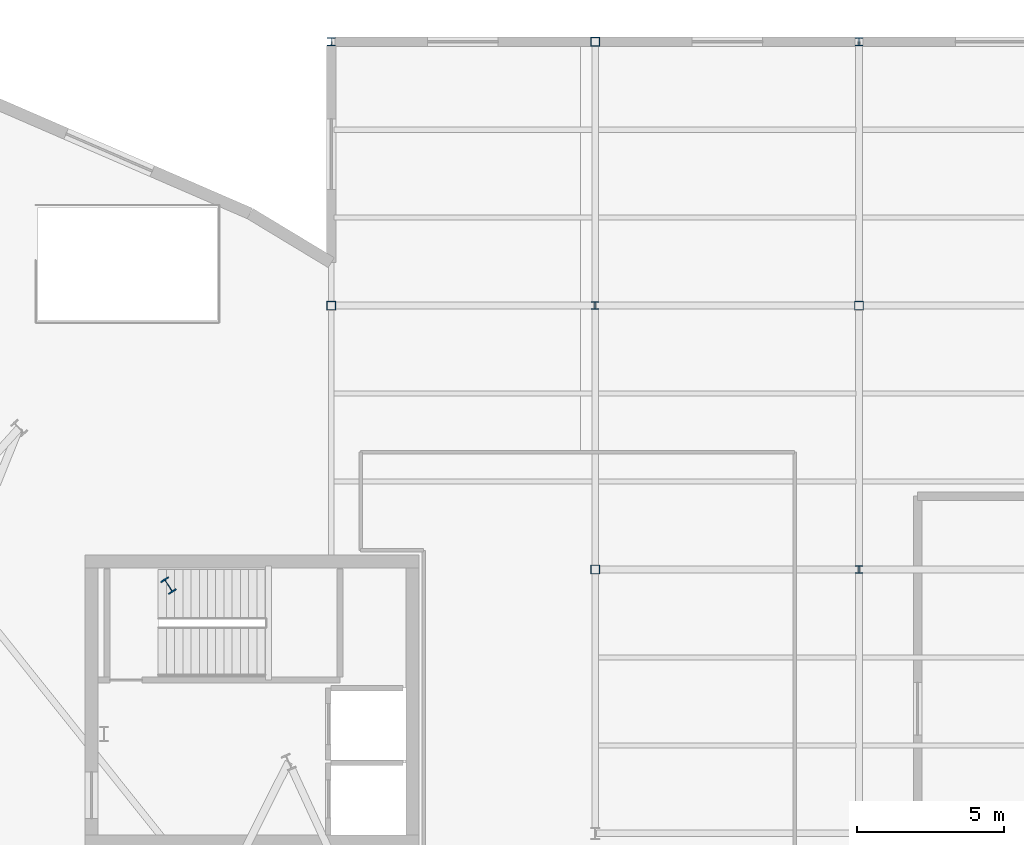
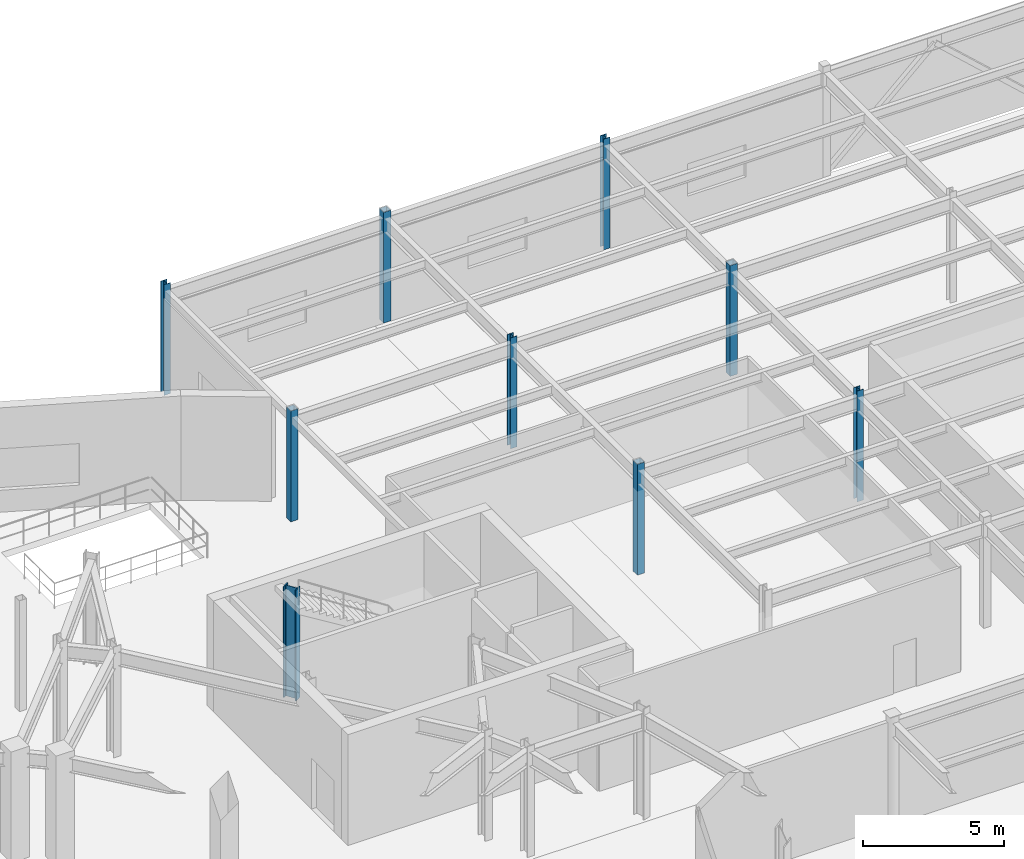
# One storey, part 21 of 86: 9 columns.
"""IFC4 building model written with IfcOpenShell, lengths in metres."""

from ifc_helpers import new_model, si_unit, direction, frame, origin, origin_2d, place, context, subcontext, project, spatial, hollow_rectangle, i_section, extrude, material, material_profile, profile_set, type_object, element, save


model = new_model("IFC4")

# Units and contexts
model_context = context("Model", 3, precision=1e-05, world=origin(), true_north=direction((0.0, 1.0)))
body_context = subcontext(model_context, "Body", "Model", "MODEL_VIEW")
ifc_project = project(units=[si_unit("LENGTHUNIT", "METRE"), si_unit("AREAUNIT", "SQUARE_METRE"), si_unit("VOLUMEUNIT", "CUBIC_METRE"), si_unit("PLANEANGLEUNIT", "RADIAN"), si_unit("MASSUNIT", "GRAM", prefix="KILO")], contexts=[model_context])

# Site, building, storey
site_placement = place(None, origin())
site = spatial("IfcSite", under=ifc_project, at=site_placement, CompositionType="ELEMENT")
building_placement = place(site_placement, origin())
building = spatial("IfcBuilding", under=site, at=building_placement, Name="Glasvene Arena", CompositionType="ELEMENT")
storey_placement = place(building_placement, frame((0.0, 0.0, 5.39990234375)))
storey = spatial("IfcBuildingStorey", under=building, at=storey_placement, Name="L01", CompositionType="ELEMENT", Elevation=5.39990234375)

# Columns
ifc_material = material(Name="Steel S355J2", Category="steel")
ifc_material_profile_1 = material_profile(ifc_material, i_section(OverallWidth=0.305908203125, OverallDepth=0.52392578125, WebThickness=0.02099609375, FlangeThickness=0.0400390625, FilletRadius=0.027099609375, at=origin_2d()), Name="HEM 500")
ifc_profile_set_1 = profile_set([ifc_material_profile_1], Name="Steel S355J2")
column_type_1 = type_object("IfcColumnType", Name="COL-RING-HEM500", PredefinedType="COLUMN", material=ifc_profile_set_1)
column_placement = place(storey_placement, frame((132.45068359375, 99.4501953125, 0.0), z_axis=(0.0, 0.0, 1.0), x_axis=(0.836955398099, 0.547271104292, 0.0)))
element("IfcColumn", 1, at=column_placement, inside=storey, type_object=column_type_1, Name="Bowl ring column R05 L01", PredefinedType="COLUMN", context=body_context, shape_type="SweptSolid", body=[
    extrude(i_section(OverallWidth=0.305908203125, OverallDepth=0.52392578125, WebThickness=0.02099609375, FlangeThickness=0.0400390625, FilletRadius=0.027099609375, at=origin_2d()), origin(), (0.0, 0.0, 1.0), 4.800048828125),
])
ifc_material_profile_2 = material_profile(ifc_material, hollow_rectangle(XDim=0.300048828125, YDim=0.300048828125, WallThickness=0.012451171875, at=origin_2d()), Name="SHS 300x300x12.5")
ifc_profile_set_2 = profile_set([ifc_material_profile_2], Name="Steel S355J2")
column_type_2 = type_object("IfcColumnType", Name="COL-W-SHS300", PredefinedType="COLUMN", material=ifc_profile_set_2)
for number, where, z_axis, x_axis, name in (
    (2, (138.0, 109.0, 0.0), (0.0, 0.0, 1.0), (1.0, 0.0, 0.0), "Grid column 16-13 L01"),
    (3, (147.0, 100.0, 0.0), (0.0, 0.0, 1.0), (1.0, 0.0, 0.0), "Grid column 17-12 L01"),
    (4, (147.0, 118.0, 0.0), (0.0, 0.0, 1.0), (1.0, 0.0, 0.0), "Grid column 17-14 L01"),
    (5, (156.0, 109.0, 0.0), (0.0, 0.0, 1.0), (1.0, 0.0, 0.0), "Grid column 18-13 L01"),
):
    element("IfcColumn", number, at=place(storey_placement, frame(where, z_axis=z_axis, x_axis=x_axis)), inside=storey, type_object=column_type_2, Name=name, PredefinedType="COLUMN", context=body_context, shape_type="SweptSolid", body=[
        extrude(hollow_rectangle(XDim=0.300048828125, YDim=0.300048828125, WallThickness=0.012451171875, at=origin_2d()), origin(), (0.0, 0.0, 1.0), 4.800048828125),
    ])
ifc_material_profile_3 = material_profile(ifc_material, i_section(OverallWidth=0.25634765625, OverallDepth=0.26025390625, WebThickness=0.01025390625, FlangeThickness=0.017333984375, FilletRadius=0.0126953125, at=origin_2d()), Name="UKC 254x254x89")
ifc_profile_set_3 = profile_set([ifc_material_profile_3], Name="Steel S355J2")
column_type_3 = type_object("IfcColumnType", Name="COL-W-UKC89", PredefinedType="COLUMN", material=ifc_profile_set_3)
for number, where, z_axis, x_axis, name in (
    (6, (138.0, 118.0, 0.0), (0.0, 0.0, 1.0), (1.0, 0.0, 0.0), "Grid column 16-14 L01"),
    (7, (147.0, 109.0, 0.0), (0.0, 0.0, 1.0), (1.0, 0.0, 0.0), "Grid column 17-13 L01"),
    (8, (156.0, 100.0, 0.0), (0.0, 0.0, 1.0), (1.0, 0.0, 0.0), "Grid column 18-12 L01"),
    (9, (156.0, 118.0, 0.0), (0.0, 0.0, 1.0), (1.0, 0.0, 0.0), "Grid column 18-14 L01"),
):
    element("IfcColumn", number, at=place(storey_placement, frame(where, z_axis=z_axis, x_axis=x_axis)), inside=storey, type_object=column_type_3, Name=name, PredefinedType="COLUMN", context=body_context, shape_type="SweptSolid", body=[
        extrude(i_section(OverallWidth=0.25634765625, OverallDepth=0.26025390625, WebThickness=0.01025390625, FlangeThickness=0.017333984375, FilletRadius=0.0126953125, at=origin_2d()), origin(), (0.0, 0.0, 1.0), 4.800048828125),
    ])

save(model, "model.ifc")
